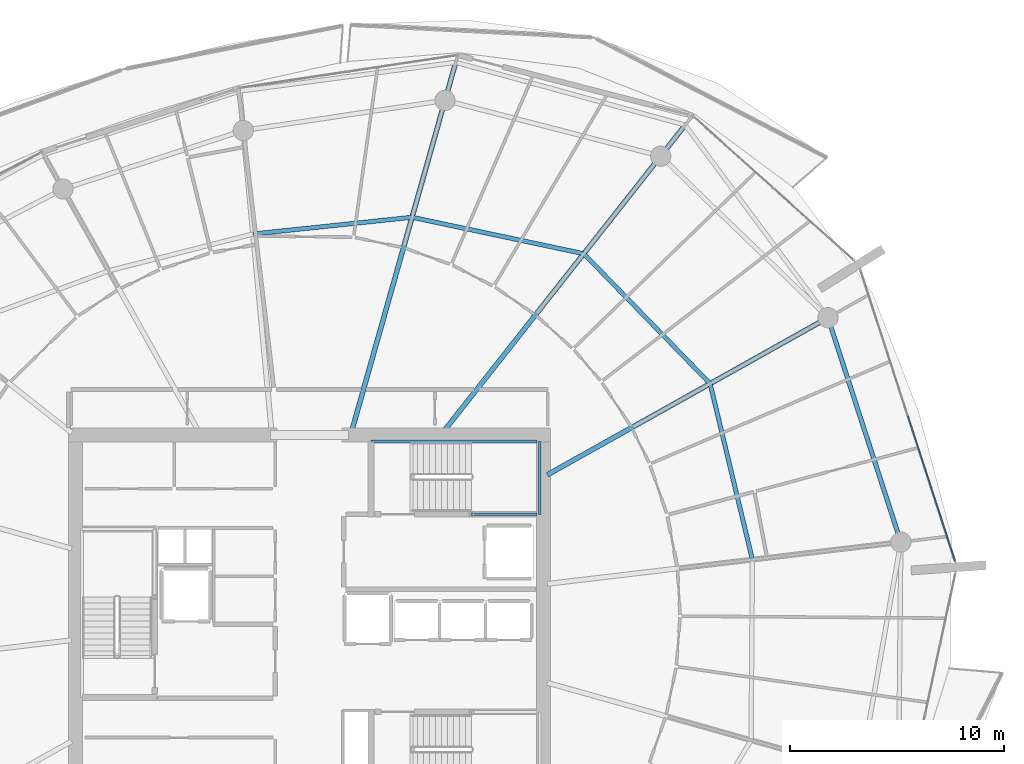
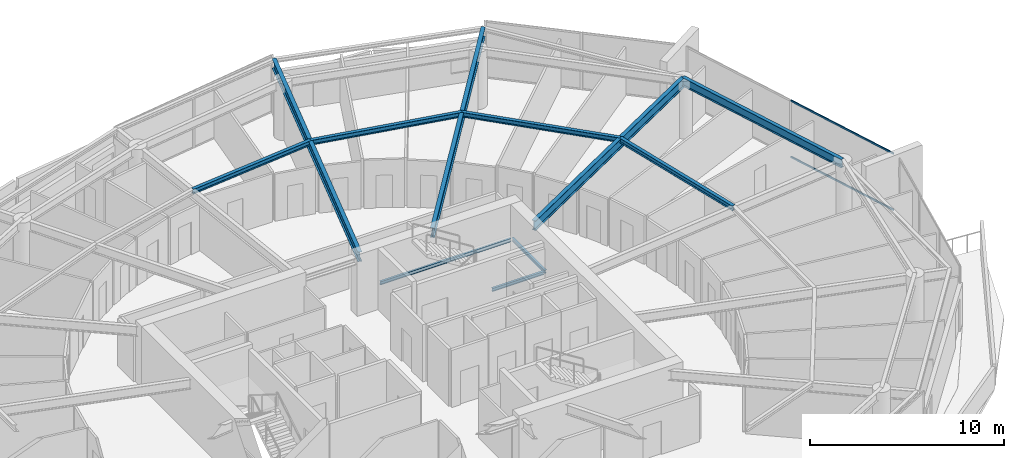
# One storey, part 15 of 31: 11 beams, 2 members, 1 element without a shape of its own.
"""IFC4 building model written with IfcOpenShell, lengths in metres."""

from ifc_helpers import new_model, si_unit, direction, frame, origin, origin_2d, place, context, subcontext, project, spatial, rectangle, i_section, extrude, material, layer, layer_set, material_profile, profile_set, type_object, element, aggregate, save


model = new_model("IFC4")

# Units and contexts
model_context = context("Model", 3, precision=1e-05, world=origin(), true_north=direction((0.0, 1.0)))
body_context = subcontext(model_context, "Body", "Model", "MODEL_VIEW")
ifc_project = project(units=[si_unit("LENGTHUNIT", "METRE"), si_unit("AREAUNIT", "SQUARE_METRE"), si_unit("VOLUMEUNIT", "CUBIC_METRE"), si_unit("PLANEANGLEUNIT", "RADIAN"), si_unit("MASSUNIT", "GRAM", prefix="KILO")], contexts=[model_context])

# Site, building, storey
site_placement = place(None, origin())
site = spatial("IfcSite", under=ifc_project, at=site_placement, CompositionType="ELEMENT")
building_placement = place(site_placement, origin())
building = spatial("IfcBuilding", under=site, at=building_placement, Name="Kazma Halo Residences", CompositionType="ELEMENT")
storey_placement = place(building_placement, frame((0.0, 0.0, 271.35009765625)))
storey = spatial("IfcBuildingStorey", under=building, at=storey_placement, Name="L68", CompositionType="ELEMENT", Elevation=271.35009765625)

# Beams
ifc_material_1 = material(Name="Steel S355", Category="steel")
ifc_material_profile_1 = material_profile(ifc_material_1, i_section(OverallWidth=0.22802734375, OverallDepth=0.60791015625, WebThickness=0.01123046875, FlangeThickness=0.017333984375, FilletRadius=0.01806640625, at=origin_2d()), Name="W610x113")
ifc_profile_set_1 = profile_set([ifc_material_profile_1], Name="Steel S355")
beam_type_1 = type_object("IfcBeamType", Name="BM-RAD-W610", PredefinedType="BEAM", material=ifc_profile_set_1)
beam_1_placement = place(storey_placement, frame((59.550048828125, 48.46826171875, 3.285888671875), z_axis=(0.872498817764, 0.488616222613, 0.0), x_axis=(-0.488616222613, 0.872498817764, 0.0)))
element("IfcBeam", 1, at=beam_1_placement, inside=storey, type_object=beam_type_1, Name="L68 radial floor beam 01", PredefinedType="BEAM", context=body_context, shape_type="SweptSolid", body=[
    extrude(i_section(OverallWidth=0.22802734375, OverallDepth=0.60791015625, WebThickness=0.01123046875, FlangeThickness=0.017333984375, FilletRadius=0.01806640625, at=origin_2d()), origin(), (0.0, 0.0, 1.0), 15.03759765625),
])
beam_2_placement = place(storey_placement, frame((54.700927734375, 50.5, 3.285888671875), z_axis=(0.6190864347, 0.785322854863, 0.0), x_axis=(-0.785322854863, 0.6190864347, 0.0)))
element("IfcBeam", 2, at=beam_2_placement, inside=storey, type_object=beam_type_1, Name="L68 radial floor beam 02", PredefinedType="BEAM", context=body_context, shape_type="SweptSolid", body=[
    extrude(i_section(OverallWidth=0.22802734375, OverallDepth=0.60791015625, WebThickness=0.01123046875, FlangeThickness=0.017333984375, FilletRadius=0.01806640625, at=origin_2d()), origin(), (0.0, 0.0, 1.0), 18.239013671875),
])
beam_3_placement = place(storey_placement, frame((50.397216796875, 50.5, 3.285888671875), z_axis=(0.271445290974, 0.962453871107, 0.0), x_axis=(-0.962453871107, 0.271445290974, 0.0)))
element("IfcBeam", 3, at=beam_3_placement, inside=storey, type_object=beam_type_1, Name="L68 radial floor beam 03", PredefinedType="BEAM", context=body_context, shape_type="SweptSolid", body=[
    extrude(i_section(OverallWidth=0.22802734375, OverallDepth=0.60791015625, WebThickness=0.01123046875, FlangeThickness=0.017333984375, FilletRadius=0.01806640625, at=origin_2d()), origin(), (0.0, 0.0, 1.0), 17.933349609375),
])
ifc_material_profile_2 = material_profile(ifc_material_1, i_section(OverallWidth=0.202880859375, OverallDepth=0.302978515625, WebThickness=0.007568359375, FlangeThickness=0.01318359375, FilletRadius=0.013916015625, at=origin_2d()), Name="W310x60")
ifc_profile_set_2 = profile_set([ifc_material_profile_2], Name="Steel S355")
beam_type_2 = type_object("IfcBeamType", Name="BM-SEC-W310A", PredefinedType="JOIST", material=ifc_profile_set_2)
beam_4_placement = place(storey_placement, frame((67.159912109375, 52.72998046875, 3.4384765625), z_axis=(-0.697145013687, 0.716930142964, 0.0), x_axis=(-0.716930142964, -0.697145013687, 0.0)))
element("IfcBeam", 4, at=beam_4_placement, inside=storey, type_object=beam_type_2, Name="L68 circumferential floor joist 01", PredefinedType="JOIST", context=body_context, shape_type="SweptSolid", body=[
    extrude(i_section(OverallWidth=0.202880859375, OverallDepth=0.302978515625, WebThickness=0.007568359375, FlangeThickness=0.01318359375, FilletRadius=0.013916015625, at=origin_2d()), origin(), (0.0, 0.0, 1.0), 8.477294921875),
])
beam_5_placement = place(storey_placement, frame((61.25, 58.8076171875, 3.4384765625), z_axis=(-0.978235588777, 0.207497308055, 0.0), x_axis=(-0.207497308055, -0.978235588777, 0.0)))
element("IfcBeam", 5, at=beam_5_placement, inside=storey, type_object=beam_type_2, Name="L68 circumferential floor joist 02", PredefinedType="JOIST", context=body_context, shape_type="SweptSolid", body=[
    extrude(i_section(OverallWidth=0.202880859375, OverallDepth=0.302978515625, WebThickness=0.007568359375, FlangeThickness=0.01318359375, FilletRadius=0.013916015625, at=origin_2d()), origin(), (0.0, 0.0, 1.0), 8.2080078125),
])
beam_6_placement = place(storey_placement, frame((53.220703125, 60.5107421875, 3.4384765625), z_axis=(-0.994528326067, -0.104467261141, 0.0), x_axis=(0.104467261141, -0.994528326067, 0.0)))
element("IfcBeam", 6, at=beam_6_placement, inside=storey, type_object=beam_type_2, Name="L68 circumferential floor joist 03", PredefinedType="JOIST", context=body_context, shape_type="SweptSolid", body=[
    extrude(i_section(OverallWidth=0.202880859375, OverallDepth=0.302978515625, WebThickness=0.007568359375, FlangeThickness=0.01318359375, FilletRadius=0.013916015625, at=origin_2d()), origin(), (0.0, 0.0, 1.0), 7.478515625),
])
beam_7_placement = place(storey_placement, frame((69.13720703125, 44.501708984375, 3.4384765625), z_axis=(-0.23365336492, 0.97231996023, 0.0), x_axis=(-0.97231996023, -0.23365336492, 0.0)))
element("IfcBeam", 7, at=beam_7_placement, inside=storey, type_object=beam_type_2, Name="L68 circumferential floor joist 16", PredefinedType="JOIST", context=body_context, shape_type="SweptSolid", body=[
    extrude(i_section(OverallWidth=0.202880859375, OverallDepth=0.302978515625, WebThickness=0.007568359375, FlangeThickness=0.01318359375, FilletRadius=0.013916015625, at=origin_2d()), origin(), (0.0, 0.0, 1.0), 8.46240234375),
])
ifc_material_profile_3 = material_profile(ifc_material_1, i_section(OverallWidth=0.208984375, OverallDepth=0.532958984375, WebThickness=0.01025390625, FlangeThickness=0.015625, FilletRadius=0.01611328125, at=origin_2d()), Name="W530x92")
ifc_profile_set_3 = profile_set([ifc_material_profile_3], Name="Steel S355")
beam_type_3 = type_object("IfcBeamType", Name="BM-SPN-W530", PredefinedType="BEAM", material=ifc_profile_set_3)
beam_8_placement = place(storey_placement, frame((76.07958984375, 45.323486328125, 3.323486328125), z_axis=(-0.309015517474, 0.951056996168, 0.0), x_axis=(-0.951056996168, -0.309015517474, 0.0)))
element("IfcBeam", 8, at=beam_8_placement, inside=storey, type_object=beam_type_3, Name="L68 perimeter ring beam 16", PredefinedType="BEAM", context=body_context, shape_type="SweptSolid", body=[
    extrude(i_section(OverallWidth=0.208984375, OverallDepth=0.532958984375, WebThickness=0.01025390625, FlangeThickness=0.015625, FilletRadius=0.01611328125, at=origin_2d()), origin(), (0.0, 0.0, 1.0), 11.032470703125),
])
ifc_material_profile_4 = material_profile(ifc_material_1, i_section(OverallWidth=0.133056640625, OverallDepth=0.20703125, WebThickness=0.005859375, FlangeThickness=0.00830078125, FilletRadius=0.010009765625, at=origin_2d()), Name="W200x26.6")
ifc_profile_set_4 = profile_set([ifc_material_profile_4], Name="Steel S355")
beam_type_4 = type_object("IfcBeamType", Name="BM-TRIM-W200", PredefinedType="BEAM", material=ifc_profile_set_4)
beam_9_placement = place(storey_placement, frame((51.31005859375, 50.02001953125, 1.619873046875), z_axis=(1.0, 0.0, 0.0), x_axis=(0.0, 1.0, 0.0)))
element("IfcBeam", 9, at=beam_9_placement, inside=storey, type_object=beam_type_4, Name="L68 ST-02 landing north wall ledger", PredefinedType="BEAM", context=body_context, shape_type="SweptSolid", body=[
    extrude(i_section(OverallWidth=0.133056640625, OverallDepth=0.20703125, WebThickness=0.005859375, FlangeThickness=0.00830078125, FilletRadius=0.010009765625, at=origin_2d()), origin(), (0.0, 0.0, 1.0), 7.760009765625),
])
beam_10_placement = place(storey_placement, frame((56.0, 46.6201171875, 1.619873046875), z_axis=(1.0, 0.0, 0.0), x_axis=(0.0, 1.0, 0.0)))
element("IfcBeam", 10, at=beam_10_placement, inside=storey, type_object=beam_type_4, Name="L68 ST-02 landing south wall ledger", PredefinedType="BEAM", context=body_context, shape_type="SweptSolid", body=[
    extrude(i_section(OverallWidth=0.133056640625, OverallDepth=0.20703125, WebThickness=0.005859375, FlangeThickness=0.00830078125, FilletRadius=0.010009765625, at=origin_2d()), origin(), (0.0, 0.0, 1.0), 3.070068359375),
])
beam_11_placement = place(storey_placement, frame((59.18994140625, 46.6201171875, 1.619873046875), z_axis=(0.0, 1.0, 0.0), x_axis=(-1.0, 0.0, 0.0)))
element("IfcBeam", 11, at=beam_11_placement, inside=storey, type_object=beam_type_4, Name="L68 ST-02 landing end wall ledger", PredefinedType="BEAM", context=body_context, shape_type="SweptSolid", body=[
    extrude(i_section(OverallWidth=0.133056640625, OverallDepth=0.20703125, WebThickness=0.005859375, FlangeThickness=0.00830078125, FilletRadius=0.010009765625, at=origin_2d()), origin(), (0.0, 0.0, 1.0), 3.39990234375),
])

# Curtain wall, members
ifc_material_2 = material(Name="Aluminium AW-6063 T6 and Triple-Silver Low-E Glass", Category="aluminium")
ifc_layer = layer(ifc_material_2, 0.139892578125)
ifc_layer_set = layer_set([ifc_layer], Name="Aluminium AW-6063 T6 and Triple-Silver Low-E Glass")
curtain_wall_type = type_object("IfcCurtainWallType", Name="CW-SYS-5", PredefinedType="NOTDEFINED", material=ifc_layer_set)
curtain_wall_placement = place(storey_placement, origin())
curtain_wall = element("IfcCurtainWall", 12, at=curtain_wall_placement, inside=storey, type_object=curtain_wall_type, Name="L68 unitised curtain wall B16", PredefinedType="NOTDEFINED")
ifc_material_3 = material(Name="Aluminium AW-6063 T6", Category="aluminium")
ifc_material_profile_5 = material_profile(ifc_material_3, rectangle(XDim=0.06005859375, YDim=0.10498046875, at=origin_2d()), Name="CWT-60x105")
ifc_profile_set_5 = profile_set([ifc_material_profile_5], Name="Aluminium AW-6063 T6")
member_type = type_object("IfcMemberType", Name="CW-SYS-5-TRN", PredefinedType="USERDEFINED", material=ifc_profile_set_5)
member_1_placement = place(storey_placement, frame((78.613525390625, 44.44091796875, 0.02978515625), z_axis=(-0.308995987448, 0.951063341603, 0.0), x_axis=(-0.951063341603, -0.308995987448, 0.0)))
member_1 = element("IfcMember", 13, at=member_1_placement, type_object=member_type, Name="CWS-5 transom 1.1", ObjectType="TRANSOM", PredefinedType="USERDEFINED", context=body_context, shape_type="SweptSolid", body=[
    extrude(rectangle(XDim=0.06005859375, YDim=0.10498046875, at=origin_2d()), origin(), (0.0, 0.0, 1.0), 7.108642578125),
])
member_2_placement = place(storey_placement, frame((78.613525390625, 44.44091796875, 3.559814453125), z_axis=(-0.308995987448, 0.951063341603, 0.0), x_axis=(-0.951063341603, -0.308995987448, 0.0)))
member_2 = element("IfcMember", 14, at=member_2_placement, type_object=member_type, Name="CWS-5 transom 1.2", ObjectType="TRANSOM", PredefinedType="USERDEFINED", context=body_context, shape_type="SweptSolid", body=[
    extrude(rectangle(XDim=0.06005859375, YDim=0.10498046875, at=origin_2d()), origin(), (0.0, 0.0, 1.0), 7.108642578125),
])
aggregate(curtain_wall, [member_1, member_2])

save(model, "model.ifc")
